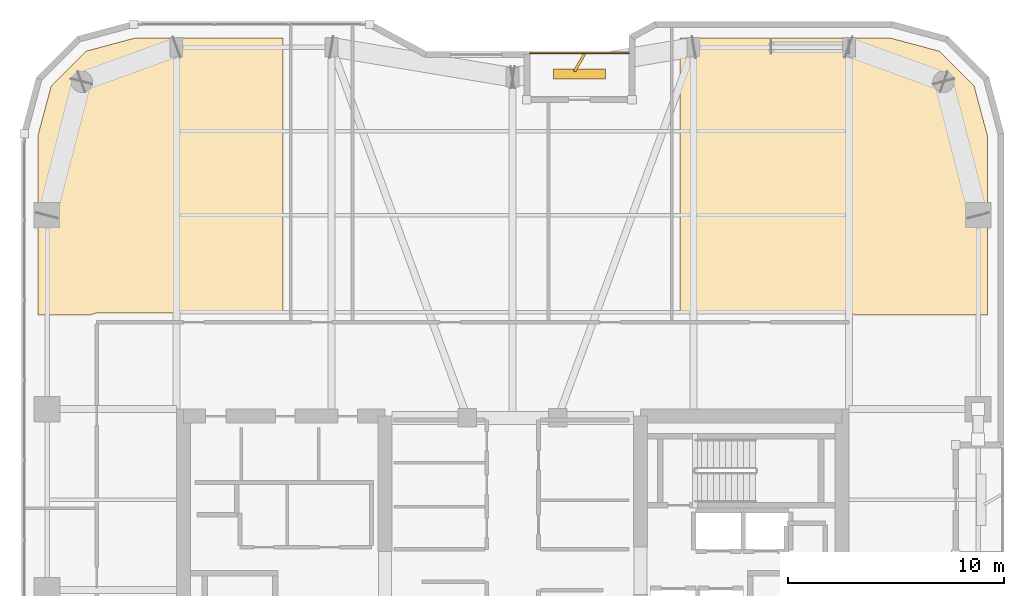
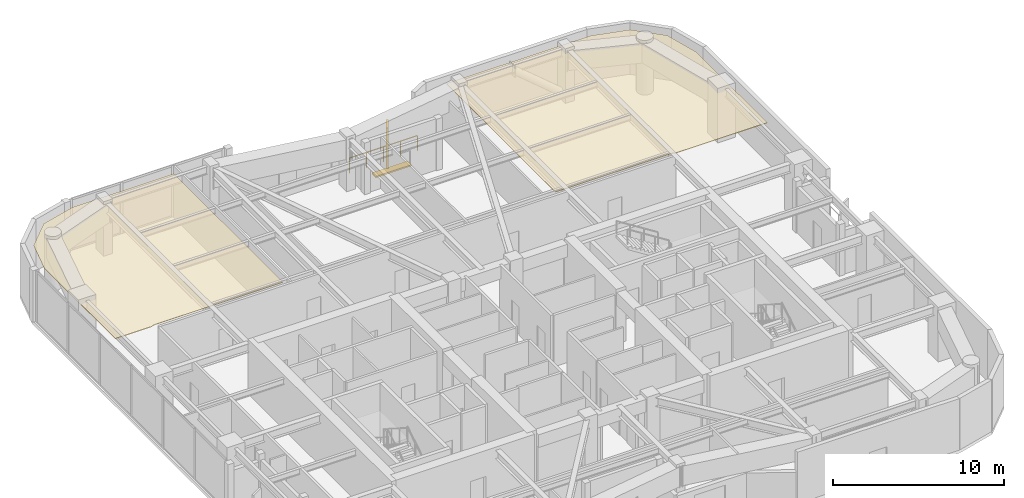
# One storey, part 21 of 21: 2 coverings, 2 shading devices, 1 railing.
"""IFC4 building model written with IfcOpenShell, lengths in metres."""

from ifc_helpers import new_model, si_unit, direction, frame, origin, origin_2d, place, context, subcontext, project, spatial, polyline, rectangle, outline, extrude, material, layer, layer_set, type_object, element, save


model = new_model("IFC4")

# Units and contexts
model_context = context("Model", 3, precision=1e-05, world=origin(), true_north=direction((0.0, 1.0)))
body_context = subcontext(model_context, "Body", "Model", "MODEL_VIEW")
ifc_project = project(units=[si_unit("LENGTHUNIT", "METRE"), si_unit("AREAUNIT", "SQUARE_METRE"), si_unit("VOLUMEUNIT", "CUBIC_METRE"), si_unit("PLANEANGLEUNIT", "RADIAN"), si_unit("MASSUNIT", "GRAM", prefix="KILO")], contexts=[model_context])

# Site, building, storey
site_placement = place(None, origin())
site = spatial("IfcSite", under=ifc_project, at=site_placement, CompositionType="ELEMENT")
building_placement = place(site_placement, origin())
building = spatial("IfcBuilding", under=site, at=building_placement, Name="Kiyonajd Concourse Tower", CompositionType="ELEMENT")
storey_placement = place(building_placement, frame((0.0, 0.0, 223.199951171875)))
storey = spatial("IfcBuildingStorey", under=building, at=storey_placement, Name="L56", CompositionType="ELEMENT", Elevation=223.199951171875)

# Coverings
ifc_material_1 = material(Name="Natural Oak Acoustic Timber Veneer", Category="wood")
ifc_layer = layer(ifc_material_1, 0.0400390625)
ifc_layer_set = layer_set([ifc_layer], Name="Natural Oak Acoustic Timber Veneer")
covering_type = type_object("IfcCoveringType", Name="CV-CLG-ACST", PredefinedType="CEILING", material=ifc_layer_set)
covering_1_placement = place(storey_placement, frame((0.0, 0.0, 3.5)))
element("IfcCovering", 1, at=covering_1_placement, inside=storey, type_object=covering_type, Name="L56-46 Room Acoustic Ceiling", PredefinedType="CEILING", context=body_context, shape_type="SweptSolid", body=[
    extrude(outline(polyline([(28.197998046875, 61.011962890625), (30.5009765625, 61.6298828125), (37.35009765625, 61.6298828125), (37.35009765625, 48.860107421875), (28.699951171875, 48.860107421875), (28.570068359375, 48.840087890625), (28.507080078125, 48.81396484375), (28.451904296875, 48.780029296875), (25.969970703125, 48.780029296875), (25.969970703125, 57.09912109375), (26.587890625, 59.402099609375), (28.197998046875, 61.011962890625)])), origin(), (0.0, 0.0, 1.0), 0.0400390625),
])
covering_2_placement = place(storey_placement, frame((0.0, 0.0, 3.5)))
element("IfcCovering", 2, at=covering_2_placement, inside=storey, type_object=covering_type, Name="L56-50 Room Acoustic Ceiling", PredefinedType="CEILING", context=body_context, shape_type="SweptSolid", body=[
    extrude(outline(polyline([(63.847900390625, 48.780029296875), (63.79296875, 48.81396484375), (63.72998046875, 48.840087890625), (63.60009765625, 48.860107421875), (55.760009765625, 48.860107421875), (55.760009765625, 61.6298828125), (65.4990234375, 61.6298828125), (67.802001953125, 61.011962890625), (69.412109375, 59.402099609375), (70.030029296875, 57.09912109375), (70.030029296875, 48.780029296875), (63.847900390625, 48.780029296875)])), origin(), (0.0, 0.0, 1.0), 0.0400390625),
])

# Railing
ifc_material_2 = material(Name="Thermally Broken Anodised Aluminium", Category="aluminium")
railing_type = type_object("IfcRailingType", Name="RL-GRD-LOG", PredefinedType="GUARDRAIL", material=ifc_material_2)
railing_placement = place(storey_placement, frame((53.39990234375, 60.919921875, 0.0)))
element("IfcRailing", 3, at=railing_placement, inside=storey, type_object=railing_type, Name="L56 Engawa Loggia Perimeter Guard LOG-N", PredefinedType="GUARDRAIL", context=body_context, shape_type="SweptSolid", body=[
    extrude(rectangle(XDim=0.048095703125, YDim=0.048095703125, at=origin_2d()), frame((0.0, 0.0, 1.076171875), z_axis=(-1.0, 0.0, 0.0), x_axis=(0.0, -1.0, 0.0)), (0.0, 0.0, 1.0), 4.599853515625),
    extrude(rectangle(XDim=0.0419921875, YDim=0.0419921875, at=origin_2d()), origin(), (0.0, 0.0, 1.0), 1.052001953125),
    extrude(rectangle(XDim=0.0419921875, YDim=0.0419921875, at=origin_2d()), frame((-1.14990234375, 0.0, 0.0)), (0.0, 0.0, 1.0), 1.052001953125),
    extrude(rectangle(XDim=0.0419921875, YDim=0.0419921875, at=origin_2d()), frame((-2.2998046875, 0.0, 0.0)), (0.0, 0.0, 1.0), 1.052001953125),
    extrude(rectangle(XDim=0.0419921875, YDim=0.0419921875, at=origin_2d()), frame((-3.449951171875, 0.0, 0.0)), (0.0, 0.0, 1.0), 1.052001953125),
    extrude(rectangle(XDim=0.0419921875, YDim=0.0419921875, at=origin_2d()), frame((-4.599853515625, 0.0, 0.0)), (0.0, 0.0, 1.0), 1.052001953125),
])

# Shading devices
ifc_material_3 = material(Name="Precast concrete C50/60", Category="concrete")
shading_device_type_1 = type_object("IfcShadingDeviceType", Name="SH-FIN-900", PredefinedType="USERDEFINED", material=ifc_material_3)
shading_device_1_placement = place(storey_placement, frame((51.10009765625, 60.469970703125, 0.0), z_axis=(0.0, 0.0, 1.0), x_axis=(0.5, 0.866025403784, 0.0)))
element("IfcShadingDevice", 4, at=shading_device_1_placement, inside=storey, type_object=shading_device_type_1, Name="L56 Angled Koshi Solar Fin LOG-N", ObjectType="FIN", PredefinedType="USERDEFINED", context=body_context, shape_type="SweptSolid", body=[
    extrude(rectangle(XDim=0.89990234375, YDim=0.1201171875, at=origin_2d()), origin(), (0.0, 0.0, 1.0), 3.0),
])
shading_device_type_2 = type_object("IfcShadingDeviceType", Name="SH-LVR-600", PredefinedType="JALOUSIE", material=ifc_material_2)
shading_device_2_placement = place(storey_placement, frame((51.10009765625, 59.949951171875, 0.0), z_axis=(0.0, 0.0, 1.0), x_axis=(1.0, 0.0, 0.0)))
element("IfcShadingDevice", 5, at=shading_device_2_placement, inside=storey, type_object=shading_device_type_2, Name="L56 Loggia Threshold Louver LOG-N", PredefinedType="JALOUSIE", context=body_context, shape_type="SweptSolid", body=[
    extrude(rectangle(XDim=2.39990234375, YDim=0.449951171875, at=origin_2d()), origin(), (0.0, 0.0, 1.0), 0.10009765625),
])

save(model, "model.ifc")
